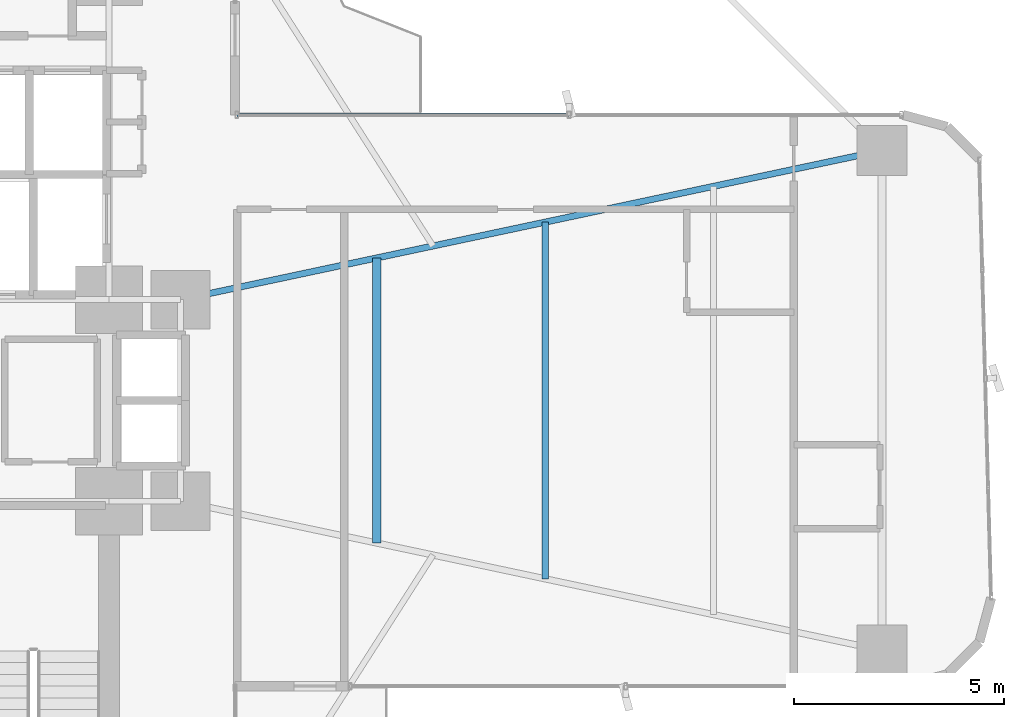
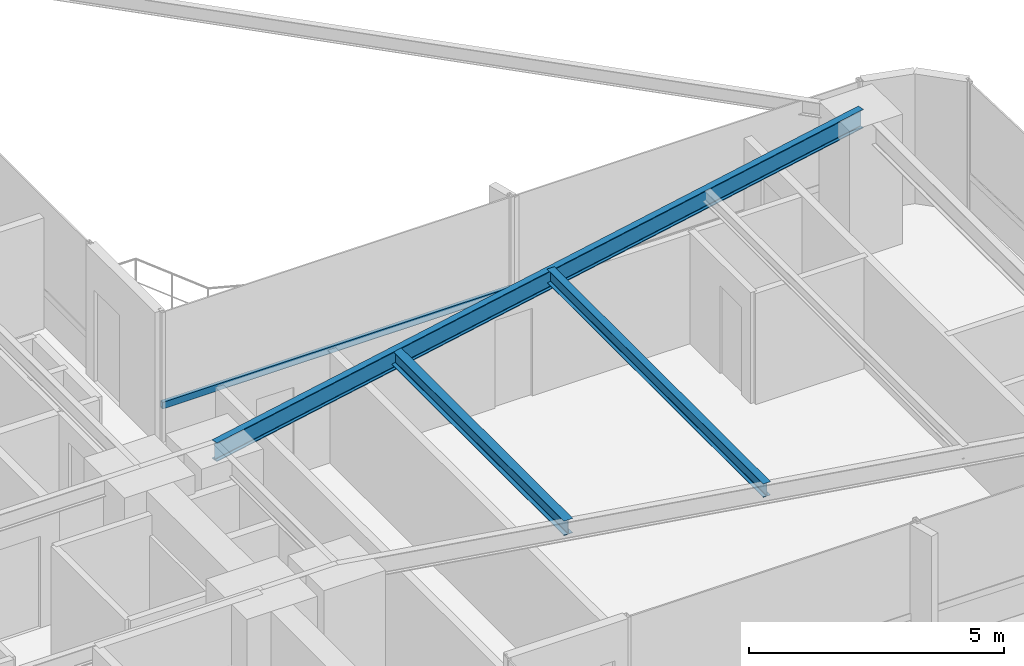
# One storey, part 15 of 26: 3 beams, 1 member, 1 element without a shape of its own.
"""IFC4 building model written with IfcOpenShell, lengths in metres."""

from ifc_helpers import new_model, si_unit, direction, frame, origin, origin_2d, place, context, subcontext, project, spatial, hollow_rectangle, i_section, extrude, source, transform, mapped, material, material_profile, profile_set, type_object, element, aggregate, save


model = new_model("IFC4")

# Units and contexts
model_context = context("Model", 3, precision=1e-05, world=origin(), true_north=direction((0.0, 1.0)))
body_context = subcontext(model_context, "Body", "Model", "MODEL_VIEW")
ifc_project = project(units=[si_unit("LENGTHUNIT", "METRE"), si_unit("AREAUNIT", "SQUARE_METRE"), si_unit("VOLUMEUNIT", "CUBIC_METRE"), si_unit("PLANEANGLEUNIT", "RADIAN"), si_unit("MASSUNIT", "GRAM", prefix="KILO")], contexts=[model_context])

# Site, building, storey
site_placement = place(None, origin())
site = spatial("IfcSite", under=ifc_project, at=site_placement, CompositionType="ELEMENT")
building_placement = place(site_placement, origin())
building = spatial("IfcBuilding", under=site, at=building_placement, Name="Sahyath Konkavel Grand Hotel", CompositionType="ELEMENT")
storey_placement = place(building_placement, frame((0.0, 0.0, 61.10009765625)))
storey = spatial("IfcBuildingStorey", under=building, at=storey_placement, Name="L16", CompositionType="ELEMENT", Elevation=61.10009765625)

# Beams
ifc_material_1 = material(Name="Steel E350", Category="steel")
ifc_material_profile_1 = material_profile(ifc_material_1, i_section(OverallWidth=0.14990234375, OverallDepth=0.449951171875, WebThickness=0.009521484375, FlangeThickness=0.017333984375, FilletRadius=0.014892578125, at=origin_2d()), Name="ISMB 450")
ifc_profile_set_1 = profile_set([ifc_material_profile_1], Name="Steel E350")
beam_type_1 = type_object("IfcBeamType", Name="BM-ISMB450", PredefinedType="BEAM", material=ifc_profile_set_1)
shared_shape_1 = source(origin(), body_context, "Body", "SweptSolid", [
    extrude(i_section(OverallWidth=0.14990234375, OverallDepth=0.449951171875, WebThickness=0.009521484375, FlangeThickness=0.017333984375, FilletRadius=0.014892578125, at=origin_2d()), origin(), (0.0, 0.0, 1.0), 17.072998046875),
])
beam_1_placement = place(storey_placement, frame((5.5, 2.39990234375, 2.885009765625), z_axis=(0.978143257225, 0.20793212437, 0.0), x_axis=(-0.20793212437, 0.978143257225, 0.0)))
element("IfcBeam", 1, at=beam_1_placement, inside=storey, type_object=beam_type_1, Name="L16 Cruciform Radial Girder EB", PredefinedType="BEAM", context=body_context, shape_type="MappedRepresentation", body=[
    mapped(shared_shape_1, transform((0.0, 0.0, 0.0), scale=1.0)),
])
ifc_material_profile_2 = material_profile(ifc_material_1, i_section(OverallWidth=0.199951171875, OverallDepth=0.35009765625, WebThickness=0.008056640625, FlangeThickness=0.011474609375, FilletRadius=0.013916015625, at=origin_2d()), Name="ISWB 350")
ifc_profile_set_2 = profile_set([ifc_material_profile_2], Name="Steel E350")
beam_type_2 = type_object("IfcBeamType", Name="BM-ISWB350", PredefinedType="BEAM", material=ifc_profile_set_2)
shared_shape_2 = source(origin(), body_context, "Body", "SweptSolid", [
    extrude(i_section(OverallWidth=0.199951171875, OverallDepth=0.35009765625, WebThickness=0.008056640625, FlangeThickness=0.011474609375, FilletRadius=0.013916015625, at=origin_2d()), origin(), (0.0, 0.0, 1.0), 6.7880859375),
])
beam_2_placement = place(storey_placement, frame((10.176025390625, -3.39404296875, 2.934814453125), z_axis=(0.0, 1.0, 0.0), x_axis=(-1.0, 0.0, 0.0)))
element("IfcBeam", 2, at=beam_2_placement, inside=storey, type_object=beam_type_2, Name="L16 Secondary Floor Beam E-1", PredefinedType="BEAM", context=body_context, shape_type="MappedRepresentation", body=[
    mapped(shared_shape_2, transform((0.0, 0.0, 0.0), scale=1.0)),
])
ifc_material_profile_3 = material_profile(ifc_material_1, i_section(OverallWidth=0.1650390625, OverallDepth=0.324951171875, WebThickness=0.007080078125, FlangeThickness=0.009765625, FilletRadius=0.014892578125, at=origin_2d()), Name="ISLB 325")
ifc_profile_set_3 = profile_set([ifc_material_profile_3], Name="Steel E350")
beam_type_3 = type_object("IfcBeamType", Name="BM-ISLB325", PredefinedType="BEAM", material=ifc_profile_set_3)
shared_shape_3 = source(origin(), body_context, "Body", "SweptSolid", [
    extrude(i_section(OverallWidth=0.1650390625, OverallDepth=0.324951171875, WebThickness=0.007080078125, FlangeThickness=0.009765625, FilletRadius=0.014892578125, at=origin_2d()), origin(), (0.0, 0.0, 1.0), 8.4921875),
])
beam_3_placement = place(storey_placement, frame((14.18408203125, -4.24609375, 2.947509765625), z_axis=(0.0, 1.0, 0.0), x_axis=(-1.0, 0.0, 0.0)))
element("IfcBeam", 3, at=beam_3_placement, inside=storey, type_object=beam_type_3, Name="L16 Secondary Floor Beam E-2", PredefinedType="BEAM", context=body_context, shape_type="MappedRepresentation", body=[
    mapped(shared_shape_3, transform((0.0, 0.0, 0.0), scale=1.0)),
])

# Curtain wall, member
ifc_material_2 = material(Name="Anodised Bronze Aluminium & Low-E Glazing", Category="aluminium")
curtain_wall_type = type_object("IfcCurtainWallType", Name="CW-ZONE1", PredefinedType="NOTDEFINED", material=ifc_material_2)
curtain_wall_placement = place(storey_placement, origin())
curtain_wall = element("IfcCurtainWall", 4, at=curtain_wall_placement, inside=storey, type_object=curtain_wall_type, Name="L16 Unitised Curtain Wall F7", PredefinedType="NOTDEFINED")
ifc_material_3 = material(Name="Anodised Bronze Aluminium", Category="aluminium")
ifc_material_profile_4 = material_profile(ifc_material_3, hollow_rectangle(XDim=0.080078125, YDim=0.159912109375, WallThickness=0.006103515625, at=origin_2d()), Name="RHS 160x80x6")
ifc_profile_set_4 = profile_set([ifc_material_profile_4], Name="Anodised Bronze Aluminium")
member_type = type_object("IfcMemberType", Name="CW-TRN-160", PredefinedType="USERDEFINED", material=ifc_profile_set_4)
shared_shape_4 = source(origin(), body_context, "Body", "SweptSolid", [
    extrude(hollow_rectangle(XDim=0.080078125, YDim=0.159912109375, WallThickness=0.006103515625, at=origin_2d()), origin(), (0.0, 0.0, 1.0), 7.909912109375),
])
member_placement = place(storey_placement, frame((14.75, 6.800048828125, 0.849853515625), z_axis=(-1.0, 0.0, 0.0), x_axis=(0.0, -1.0, 0.0)))
member = element("IfcMember", 5, at=member_placement, type_object=member_type, Name="L16 Curtain Wall Transom F7-1-spandrel", ObjectType="TRANSOM", PredefinedType="USERDEFINED", context=body_context, shape_type="MappedRepresentation", body=[
    mapped(shared_shape_4, transform((0.0, 0.0, 0.0), scale=1.0)),
])
aggregate(curtain_wall, [member])

save(model, "model.ifc")
